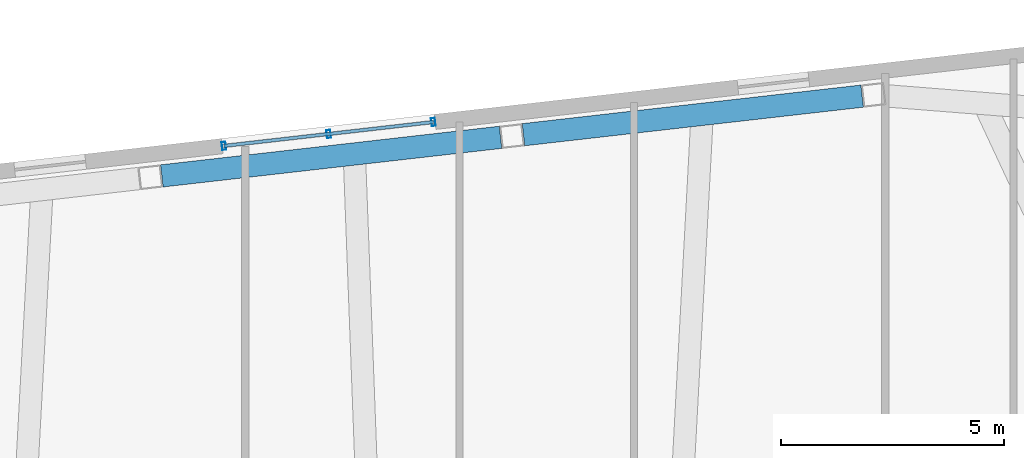
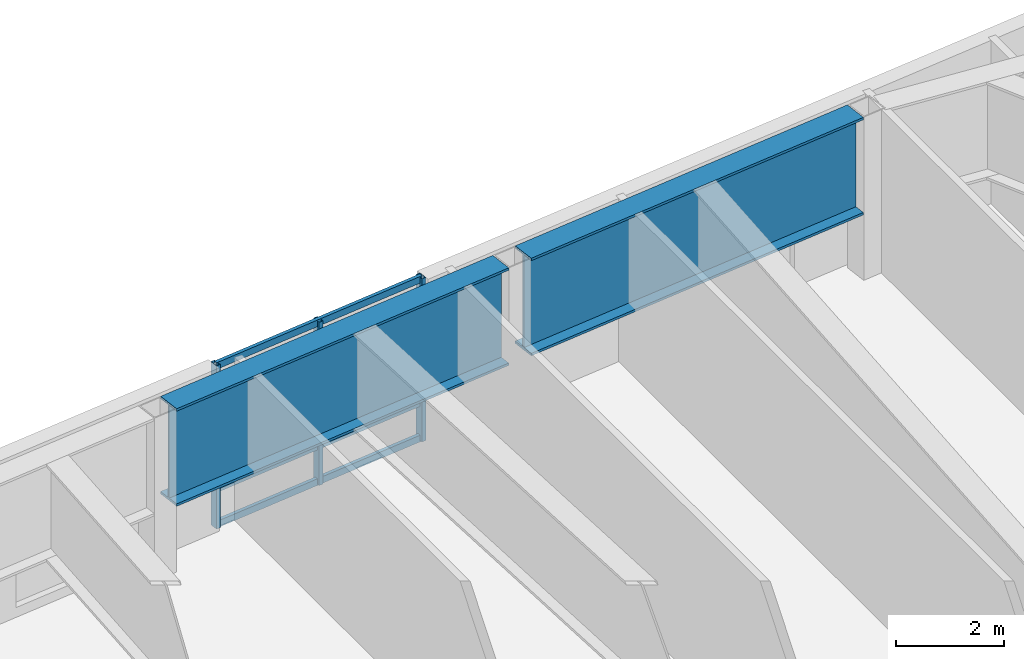
# One storey, part 10 of 18: 6 members, 2 beams, 1 element without a shape of its own.
"""IFC4 building model written with IfcOpenShell, lengths in metres."""

from ifc_helpers import new_model, si_unit, direction, frame, origin, origin_2d, place, context, subcontext, project, spatial, hollow_rectangle, i_section, extrude, material, layer, layer_set, material_profile, profile_set, type_object, element, aggregate, save


model = new_model("IFC4")

# Units and contexts
model_context = context("Model", 3, precision=1e-05, world=origin(), true_north=direction((0.0, 1.0)))
body_context = subcontext(model_context, "Body", "Model", "MODEL_VIEW")
ifc_project = project(units=[si_unit("LENGTHUNIT", "METRE"), si_unit("AREAUNIT", "SQUARE_METRE"), si_unit("VOLUMEUNIT", "CUBIC_METRE"), si_unit("PLANEANGLEUNIT", "RADIAN"), si_unit("MASSUNIT", "GRAM", prefix="KILO")], contexts=[model_context])

# Site, building, storey
site_placement = place(None, origin())
site = spatial("IfcSite", under=ifc_project, at=site_placement, CompositionType="ELEMENT")
building_placement = place(site_placement, origin())
building = spatial("IfcBuilding", under=site, at=building_placement, Name="Tavrogorsk Clinical Tower", CompositionType="ELEMENT")
storey_placement = place(building_placement, frame((0.0, 0.0, 267.0)))
storey = spatial("IfcBuildingStorey", under=building, at=storey_placement, Name="L62", CompositionType="ELEMENT", Elevation=267.0)

# Curtain wall, members
ifc_material_1 = material(Name="Anodised aluminium and triple IGU glazing", Category="aluminium")
ifc_layer = layer(ifc_material_1, 0.179931640625)
ifc_layer_set = layer_set([ifc_layer], Name="Anodised aluminium and triple IGU glazing")
curtain_wall_type = type_object("IfcCurtainWallType", Name="CW2_NorthSlot", PredefinedType="NOTDEFINED", material=ifc_layer_set)
curtain_wall_placement = place(storey_placement, origin())
curtain_wall = element("IfcCurtainWall", 1, at=curtain_wall_placement, inside=storey, type_object=curtain_wall_type, Name="L62 Curtain Wall CW-L62-N-SLOT-2", PredefinedType="NOTDEFINED")
ifc_material_2 = material(Name="Anodised aluminium alloy AW-6060", Category="aluminium")
ifc_material_profile_1 = material_profile(ifc_material_2, hollow_rectangle(XDim=0.090087890625, YDim=0.179931640625, WallThickness=0.00634765625, at=origin_2d()), Name="RHS-180x90x6.3")
ifc_profile_set_1 = profile_set([ifc_material_profile_1], Name="Anodised aluminium alloy AW-6060")
member_type_1 = type_object("IfcMemberType", Name="CwMullion_180x90", PredefinedType="MULLION", material=ifc_profile_set_1)
member_1_placement = place(storey_placement, frame((5.410400390625, 27.270263671875, 0.0), z_axis=(0.0, 0.0, 1.0), x_axis=(-0.993571855603, -0.11320321441, 0.0)))
member_1 = element("IfcMember", 2, at=member_1_placement, type_object=member_type_1, Name="CW-L62-N-SLOT-2 Mullion 1", PredefinedType="MULLION", context=body_context, shape_type="SweptSolid", body=[
    extrude(hollow_rectangle(XDim=0.090087890625, YDim=0.179931640625, WallThickness=0.00634765625, at=origin_2d()), origin(), (0.0, 0.0, 1.0), 3.679931640625),
])
member_2_placement = place(storey_placement, frame((3.06640625, 27.003173828125, 0.0), z_axis=(0.0, 0.0, 1.0), x_axis=(-0.993571855603, -0.11320321441, 0.0)))
member_2 = element("IfcMember", 3, at=member_2_placement, type_object=member_type_1, Name="CW-L62-N-SLOT-2 Mullion 2", PredefinedType="MULLION", context=body_context, shape_type="SweptSolid", body=[
    extrude(hollow_rectangle(XDim=0.090087890625, YDim=0.179931640625, WallThickness=0.00634765625, at=origin_2d()), origin(), (0.0, 0.0, 1.0), 3.679931640625),
])
member_3_placement = place(storey_placement, frame((0.72265625, 26.736083984375, 0.0), z_axis=(0.0, 0.0, 1.0), x_axis=(-0.993571855603, -0.11320321441, 0.0)))
member_3 = element("IfcMember", 4, at=member_3_placement, type_object=member_type_1, Name="CW-L62-N-SLOT-2 Mullion 3", PredefinedType="MULLION", context=body_context, shape_type="SweptSolid", body=[
    extrude(hollow_rectangle(XDim=0.090087890625, YDim=0.179931640625, WallThickness=0.00634765625, at=origin_2d()), origin(), (0.0, 0.0, 1.0), 3.679931640625),
])
ifc_material_3 = material(Name="Anodised aluminium alloy AW-6060", Category="aluminium")
ifc_material_profile_2 = material_profile(ifc_material_3, hollow_rectangle(XDim=0.074951171875, YDim=0.14990234375, WallThickness=0.0048828125, at=origin_2d()), Name="RHS-150x75x5")
ifc_profile_set_2 = profile_set([ifc_material_profile_2], Name="Anodised aluminium alloy AW-6060")
member_type_2 = type_object("IfcMemberType", Name="CwTransom_150x75", PredefinedType="USERDEFINED", material=ifc_profile_set_2)
member_4_placement = place(storey_placement, frame((5.410400390625, 27.270263671875, 0.050048828125), z_axis=(-0.993569979218, -0.113219682023, 0.0), x_axis=(0.113219682023, -0.993569979218, 0.0)))
member_4 = element("IfcMember", 5, at=member_4_placement, type_object=member_type_2, Name="CW-L62-N-SLOT-2 Transom 1", ObjectType="TRANSOM", PredefinedType="USERDEFINED", context=body_context, shape_type="SweptSolid", body=[
    extrude(hollow_rectangle(XDim=0.074951171875, YDim=0.14990234375, WallThickness=0.0048828125, at=origin_2d()), origin(), (0.0, 0.0, 1.0), 4.718017578125),
])
member_5_placement = place(storey_placement, frame((5.410400390625, 27.270263671875, 0.85009765625), z_axis=(-0.993569979218, -0.113219682023, 0.0), x_axis=(0.113219682023, -0.993569979218, 0.0)))
member_5 = element("IfcMember", 6, at=member_5_placement, type_object=member_type_2, Name="CW-L62-N-SLOT-2 Transom 2", ObjectType="TRANSOM", PredefinedType="USERDEFINED", context=body_context, shape_type="SweptSolid", body=[
    extrude(hollow_rectangle(XDim=0.074951171875, YDim=0.14990234375, WallThickness=0.0048828125, at=origin_2d()), origin(), (0.0, 0.0, 1.0), 4.718017578125),
])
member_6_placement = place(storey_placement, frame((5.410400390625, 27.270263671875, 3.6298828125), z_axis=(-0.993569979218, -0.113219682023, 0.0), x_axis=(0.113219682023, -0.993569979218, 0.0)))
member_6 = element("IfcMember", 7, at=member_6_placement, type_object=member_type_2, Name="CW-L62-N-SLOT-2 Transom 3", ObjectType="TRANSOM", PredefinedType="USERDEFINED", context=body_context, shape_type="SweptSolid", body=[
    extrude(hollow_rectangle(XDim=0.074951171875, YDim=0.14990234375, WallThickness=0.0048828125, at=origin_2d()), origin(), (0.0, 0.0, 1.0), 4.718017578125),
])
aggregate(curtain_wall, [member_1, member_2, member_3, member_4, member_5, member_6])

# Beams
ifc_material_4 = material(Name="Structural steel S440", Category="steel")
ifc_material_profile_3 = material_profile(ifc_material_4, i_section(OverallWidth=0.5, OverallDepth=2.199951171875, WebThickness=0.035888671875, FlangeThickness=0.054931640625, at=origin_2d()), Name="DK-2200x500x36x55")
ifc_profile_set_3 = profile_set([ifc_material_profile_3], Name="Structural steel S440")
beam_type = type_object("IfcBeamType", Name="TransferGirder_DK2200", PredefinedType="USERDEFINED", material=ifc_profile_set_3)
for number, where, z_axis, x_axis, name in (
    (8, (15.01220703125, 27.850830078125, 2.580078125), (-0.993572099834, -0.113201070804, 0.0), (0.113201070804, -0.993572099834, 0.0), "L62 Perimeter Spandrel N2-N3"),
    (9, (6.916015625, 26.928466796875, 2.580078125), (-0.993572099834, -0.113201070804, 0.0), (0.113201070804, -0.993572099834, 0.0), "L62 Perimeter Spandrel N3-N4"),
):
    element("IfcBeam", number, at=place(storey_placement, frame(where, z_axis=z_axis, x_axis=x_axis)), inside=storey, type_object=beam_type, Name=name, ObjectType="GIRDER", PredefinedType="USERDEFINED", context=body_context, shape_type="SweptSolid", body=[
        extrude(i_section(OverallWidth=0.5, OverallDepth=2.199951171875, WebThickness=0.035888671875, FlangeThickness=0.054931640625, at=origin_2d()), origin(), (0.0, 0.0, 1.0), 7.632568359375),
    ])

save(model, "model.ifc")
